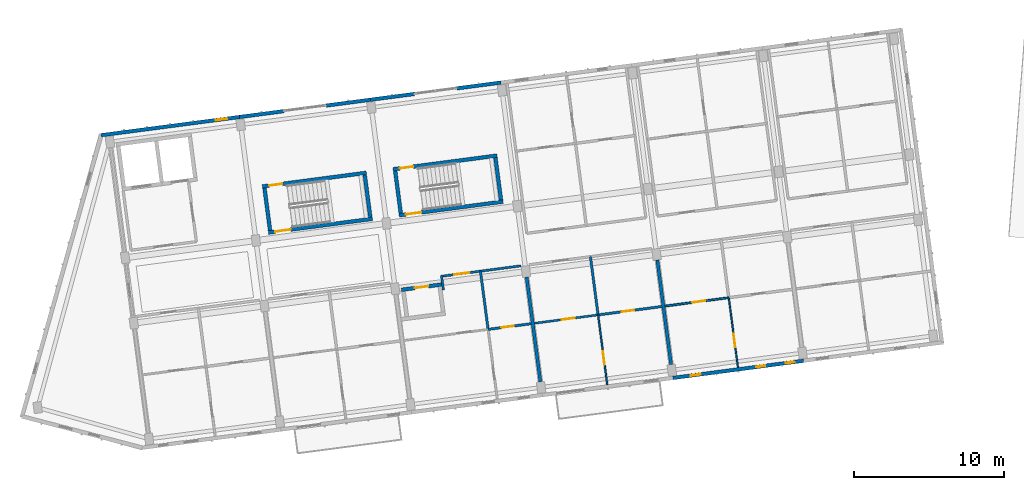
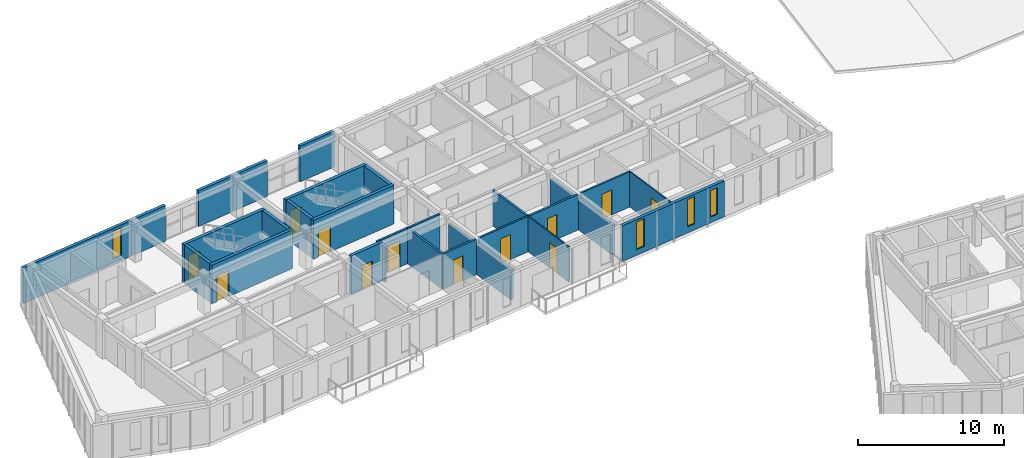
# One storey, part 26 of 74: 27 walls, 12 doors, 4 windows, 16 openings.
"""IFC4 building model written with IfcOpenShell, lengths in metres."""

from ifc_helpers import new_model, si_unit, direction, frame, frame_2d, origin, place, context, subcontext, project, spatial, rectangle, extrude, material, layer, layer_set, type_object, element, fill, save


model = new_model("IFC4")

# Units and contexts
model_context = context("Model", 3, precision=1e-05, world=origin(), true_north=direction((0.0, 1.0)))
body_context = subcontext(model_context, "Body", "Model", "MODEL_VIEW")
ifc_project = project(units=[si_unit("LENGTHUNIT", "METRE"), si_unit("AREAUNIT", "SQUARE_METRE"), si_unit("VOLUMEUNIT", "CUBIC_METRE"), si_unit("PLANEANGLEUNIT", "RADIAN"), si_unit("MASSUNIT", "GRAM", prefix="KILO")], contexts=[model_context])

# Site, building, storey
site_placement = place(None, origin())
site = spatial("IfcSite", under=ifc_project, at=site_placement, CompositionType="ELEMENT")
building_placement = place(site_placement, origin())
building = spatial("IfcBuilding", under=site, at=building_placement, Name="Kestramere Prow Commons", CompositionType="ELEMENT")
storey_placement = place(building_placement, frame((0.0, 0.0, 11.64990234375)))
storey = spatial("IfcBuildingStorey", under=building, at=storey_placement, Name="L03", CompositionType="ELEMENT", Elevation=11.64990234375)

# Wall, openings, windows
ifc_material_1 = material(Name="Fluoropolymer Standing-Seam Zinc-Aluminium Cladding", Category="aluminium")
ifc_layer_1 = layer(ifc_material_1, 0.239990234375)
ifc_layer_set_1 = layer_set([ifc_layer_1], Name="Fluoropolymer Standing-Seam Zinc-Aluminium Cladding")
wall_type_1 = type_object("IfcWallType", Name="EW-SEAM-240", PredefinedType="SOLIDWALL", material=ifc_layer_set_1)
wall_1_placement = place(storey_placement, frame((54.89208984375, 77.22265625, 0.0), z_axis=(0.0, 0.0, 1.0), x_axis=(-0.991443905089, -0.130533455715, 0.0)))
wall_1 = element("IfcWall", 1, at=wall_1_placement, inside=storey, type_object=wall_type_1, Name="Block A L03 South Standing-Seam Wall 5", PredefinedType="SOLIDWALL", context=body_context, shape_type="SweptSolid", body=[
    extrude(rectangle(XDim=8.7998046875, YDim=0.239990234375, at=frame_2d((4.39990234375, 0.0))), origin(), (0.0, 0.0, 1.0), 3.0),
])
opening_1_placement = place(wall_1_placement, frame((0.610107421875, 0.0, 0.47998046875)))
opening_1 = element("IfcOpeningElement", 2, at=opening_1_placement, cuts=wall_1, Name="Opening WN-02", PredefinedType="OPENING", context=body_context, shape_type="SweptSolid", body=[
    extrude(rectangle(XDim=0.60009765625, YDim=2.219970703125, at=frame_2d((0.300048828125, 1.10986328125))), frame((0.0, 0.135009765625, 0.0), z_axis=(0.0, -1.0, 0.0), x_axis=(1.0, 0.0, 0.0)), (0.0, 0.0, 1.0), 0.27001953125),
])
opening_2_placement = place(wall_1_placement, frame((2.575927734375, 0.0, 0.52001953125)))
opening_2 = element("IfcOpeningElement", 3, at=opening_2_placement, cuts=wall_1, Name="Opening WN-03", PredefinedType="OPENING", context=body_context, shape_type="SweptSolid", body=[
    extrude(rectangle(XDim=0.6201171875, YDim=2.280029296875, at=frame_2d((0.31005859375, 1.14013671875))), frame((0.0, 0.135009765625, 0.0), z_axis=(0.0, -1.0, 0.0), x_axis=(1.0, 0.0, 0.0)), (0.0, 0.0, 1.0), 0.27001953125),
])
opening_3_placement = place(wall_1_placement, frame((6.935302734375, 0.0, 0.47998046875)))
opening_3 = element("IfcOpeningElement", 4, at=opening_3_placement, cuts=wall_1, Name="Opening WN-05", PredefinedType="OPENING", context=body_context, shape_type="SweptSolid", body=[
    extrude(rectangle(XDim=0.659912109375, YDim=2.320068359375, at=frame_2d((0.330078125, 1.16015625))), frame((0.0, 0.135009765625, 0.0), z_axis=(0.0, -1.0, 0.0), x_axis=(1.0, 0.0, 0.0)), (0.0, 0.0, 1.0), 0.27001953125),
])
ifc_material_2 = material(Name="Low-E Laminated Double Glazing", Category="glass")
window_type_1 = type_object("IfcWindowType", Name="WN-NAR-600A", PartitioningType="SINGLE_PANEL", PredefinedType="WINDOW", material=ifc_material_2)
window_1_placement = place(opening_1_placement, origin())
window_1 = element("IfcWindow", 5, at=window_1_placement, inside=storey, type_object=window_type_1, Name="WN-A-L03-S-4-00", OverallHeight=2.219970703125, OverallWidth=0.60009765625, PartitioningType="SINGLE_PANEL", PredefinedType="WINDOW", context=body_context, shape_type="SweptSolid", body=[
    extrude(rectangle(XDim=0.60009765625, YDim=2.219970703125, at=frame_2d((0.300048828125, 1.10986328125))), frame((0.0, 0.030029296875, 0.0), z_axis=(0.0, -1.0, 0.0), x_axis=(1.0, 0.0, 0.0)), (0.0, 0.0, 1.0), 0.06005859375),
])
fill(opening_1, window_1)
window_type_2 = type_object("IfcWindowType", Name="WN-NAR-620A", PartitioningType="SINGLE_PANEL", PredefinedType="WINDOW", material=ifc_material_2)
window_2_placement = place(opening_2_placement, origin())
window_2 = element("IfcWindow", 6, at=window_2_placement, inside=storey, type_object=window_type_2, Name="WN-A-L03-S-4-01", OverallHeight=2.280029296875, OverallWidth=0.6201171875, PartitioningType="SINGLE_PANEL", PredefinedType="WINDOW", context=body_context, shape_type="SweptSolid", body=[
    extrude(rectangle(XDim=0.6201171875, YDim=2.280029296875, at=frame_2d((0.31005859375, 1.14013671875))), frame((0.0, 0.030029296875, 0.0), z_axis=(0.0, -1.0, 0.0), x_axis=(1.0, 0.0, 0.0)), (0.0, 0.0, 1.0), 0.06005859375),
])
fill(opening_2, window_2)
window_type_3 = type_object("IfcWindowType", Name="WN-NAR-660A", PartitioningType="SINGLE_PANEL", PredefinedType="WINDOW", material=ifc_material_2)
window_3_placement = place(opening_3_placement, origin())
window_3 = element("IfcWindow", 7, at=window_3_placement, inside=storey, type_object=window_type_3, Name="WN-A-L03-S-4-10", OverallHeight=2.320068359375, OverallWidth=0.659912109375, PartitioningType="SINGLE_PANEL", PredefinedType="WINDOW", context=body_context, shape_type="SweptSolid", body=[
    extrude(rectangle(XDim=0.659912109375, YDim=2.320068359375, at=frame_2d((0.330078125, 1.16015625))), frame((0.0, 0.030029296875, 0.0), z_axis=(0.0, -1.0, 0.0), x_axis=(1.0, 0.0, 0.0)), (0.0, 0.0, 1.0), 0.06005859375),
])
fill(opening_3, window_3)

# Wall, opening, window
wall_2_placement = place(storey_placement, frame((8.00048828125, 92.28076171875, 0.0), z_axis=(0.0, 0.0, 1.0), x_axis=(0.991442885224, 0.130541201693, 0.0)))
wall_2 = element("IfcWall", 8, at=wall_2_placement, inside=storey, type_object=wall_type_1, Name="Block A L03 North Standing-Seam Wall 1", PredefinedType="SOLIDWALL", context=body_context, shape_type="SweptSolid", body=[
    extrude(rectangle(XDim=9.324951171875, YDim=0.239990234375, at=frame_2d((4.66259765625, 0.0))), origin(), (0.0, 0.0, 1.0), 3.0),
])
opening_4_placement = place(wall_2_placement, frame((7.72509765625, 0.0, 0.449951171875)))
opening_4 = element("IfcOpeningElement", 9, at=opening_4_placement, cuts=wall_2, Name="Opening WN-19", PredefinedType="OPENING", context=body_context, shape_type="SweptSolid", body=[
    extrude(rectangle(XDim=0.75, YDim=2.320068359375, at=frame_2d((0.375, 1.16015625))), frame((0.0, 0.135009765625, 0.0), z_axis=(0.0, -1.0, 0.0), x_axis=(1.0, 0.0, 0.0)), (0.0, 0.0, 1.0), 0.27001953125),
])
window_type_4 = type_object("IfcWindowType", Name="WN-CLER-1800", PartitioningType="SINGLE_PANEL", PredefinedType="WINDOW", material=ifc_material_2)
window_4_placement = place(opening_4_placement, origin())
window_4 = element("IfcWindow", 10, at=window_4_placement, inside=storey, type_object=window_type_4, Name="Block A L03 Core Lobby Slot Window", OverallHeight=2.320068359375, OverallWidth=0.75, PartitioningType="SINGLE_PANEL", PredefinedType="WINDOW", context=body_context, shape_type="SweptSolid", body=[
    extrude(rectangle(XDim=0.75, YDim=2.320068359375, at=frame_2d((0.375, 1.16015625))), frame((0.0, 0.030029296875, 0.0), z_axis=(0.0, -1.0, 0.0), x_axis=(1.0, 0.0, 0.0)), (0.0, 0.0, 1.0), 0.06005859375),
])
fill(opening_4, window_4)

# Walls
for number, where, z_axis, x_axis, name in (
    (11, (17.24560546875, 93.498046875, 0.0), (0.0, 0.0, 1.0), (0.991451502252, 0.130475739826, 0.0), "Block A L03 North Standing-Seam Pier 2L"),
    (12, (23.020751953125, 94.25830078125, 0.0), (0.0, 0.0, 1.0), (0.991440883744, 0.130556401758, 0.0), "Block A L03 North Standing-Seam Pier 2R"),
):
    element("IfcWall", number, at=place(storey_placement, frame(where, z_axis=z_axis, x_axis=x_axis)), inside=storey, type_object=wall_type_1, Name=name, PredefinedType="SOLIDWALL", context=body_context, shape_type="SweptSolid", body=[
        extrude(rectangle(XDim=2.97509765625, YDim=0.239990234375, at=frame_2d((1.487548828125, 0.0))), origin(), (0.0, 0.0, 1.0), 3.0),
    ])
for number, where, z_axis, x_axis, name in (
    (13, (25.970458984375, 94.646728515625, 0.0), (0.0, 0.0, 1.0), (0.991450105095, 0.130486356022, 0.0), "Block A L03 North Standing-Seam Pier 3L"),
    (14, (31.74560546875, 95.406982421875, 0.0), (0.0, 0.0, 1.0), (0.991439484875, 0.130567024289, 0.0), "Block A L03 North Standing-Seam Pier 3R"),
):
    element("IfcWall", number, at=place(storey_placement, frame(where, z_axis=z_axis, x_axis=x_axis)), inside=storey, type_object=wall_type_1, Name=name, PredefinedType="SOLIDWALL", context=body_context, shape_type="SweptSolid", body=[
        extrude(rectangle(XDim=2.974853515625, YDim=0.239990234375, at=frame_2d((1.4873046875, 0.0))), origin(), (0.0, 0.0, 1.0), 3.0),
    ])

# Wall, opening, door
ifc_material_3 = material(Name="Concrete C40/50", Category="concrete")
ifc_layer_2 = layer(ifc_material_3, 0.25)
ifc_layer_set_2 = layer_set([ifc_layer_2], Name="Concrete C40/50")
wall_type_2 = type_object("IfcWallType", Name="W-CORE-250", PredefinedType="SHEAR", material=ifc_layer_set_2)
wall_3_placement = place(storey_placement, frame((18.764404296875, 88.856689453125, 0.0), z_axis=(0.0, 0.0, 1.0), x_axis=(0.991447052715, 0.13050954625, 0.0)))
wall_3 = element("IfcWall", 15, at=wall_3_placement, inside=storey, type_object=wall_type_2, Name="ST-A1 L03 North Shaft Wall", PredefinedType="SHEAR", context=body_context, shape_type="SweptSolid", body=[
    extrude(rectangle(XDim=7.0, YDim=0.25, at=frame_2d((3.5, 0.0))), origin(), (0.0, 0.0, 1.0), 3.25),
])
opening_5_placement = place(wall_3_placement, frame((0.449951171875, 0.0, 0.0)))
opening_5 = element("IfcOpeningElement", 16, at=opening_5_placement, cuts=wall_3, Name="Opening ID-08", PredefinedType="OPENING", context=body_context, shape_type="SweptSolid", body=[
    extrude(rectangle(XDim=0.89990234375, YDim=2.10009765625, at=frame_2d((0.449951171875, 1.050048828125))), frame((0.0, 0.139892578125, 0.0), z_axis=(0.0, -1.0, 0.0), x_axis=(1.0, 0.0, 0.0)), (0.0, 0.0, 1.0), 0.280029296875),
])
ifc_material_4 = material(Name="Engineered Timber Flush Door", Category="wood")
door_type_1 = type_object("IfcDoorType", Name="D-RM-01", OperationType="NOTDEFINED", PredefinedType="DOOR", material=ifc_material_4)
door_1_placement = place(opening_5_placement, origin())
door_1 = element("IfcDoor", 17, at=door_1_placement, inside=storey, type_object=door_type_1, Name="ST-A1 L03 North Room Door", OperationType="SINGLE_SWING_RIGHT", OverallHeight=2.10009765625, OverallWidth=0.89990234375, PredefinedType="DOOR", context=body_context, shape_type="SweptSolid", body=[
    extrude(rectangle(XDim=0.89990234375, YDim=2.10009765625, at=frame_2d((0.449951171875, 1.050048828125))), frame((0.0, 0.02490234375, 0.0), z_axis=(0.0, -1.0, 0.0), x_axis=(1.0, 0.0, 0.0)), (0.0, 0.0, 1.0), 0.050048828125),
])
fill(opening_5, door_1)

wall_4_placement = place(storey_placement, frame((19.169189453125, 85.783203125, 0.0), z_axis=(0.0, 0.0, 1.0), x_axis=(0.991446458634, 0.130514059249, 0.0)))
wall_4 = element("IfcWall", 18, at=wall_4_placement, inside=storey, type_object=wall_type_2, Name="ST-A1 L03 Corridor Shaft Wall", PredefinedType="SHEAR", context=body_context, shape_type="SweptSolid", body=[
    extrude(rectangle(XDim=6.999755859375, YDim=0.25, at=frame_2d((3.5, 0.0))), origin(), (0.0, 0.0, 1.0), 3.25),
])
opening_6_placement = place(wall_4_placement, frame((0.449951171875, 0.0, 0.0)))
opening_6 = element("IfcOpeningElement", 19, at=opening_6_placement, cuts=wall_4, Name="Opening ID-01", PredefinedType="OPENING", context=body_context, shape_type="SweptSolid", body=[
    extrude(rectangle(XDim=1.050048828125, YDim=2.14990234375, at=frame_2d((0.52490234375, 1.074951171875))), frame((0.0, 0.139892578125, 0.0), z_axis=(0.0, -1.0, 0.0), x_axis=(1.0, 0.0, 0.0)), (0.0, 0.0, 1.0), 0.280029296875),
])
ifc_material_5 = material(Name="Fire-Rated Timber and Steel Frame", Category="steel")
door_type_2 = type_object("IfcDoorType", Name="FD-ST-01", OperationType="NOTDEFINED", PredefinedType="DOOR", material=ifc_material_5)
door_2_placement = place(opening_6_placement, origin())
door_2 = element("IfcDoor", 20, at=door_2_placement, inside=storey, type_object=door_type_2, Name="ST-A1 L03 Protected Stair Door", OperationType="SINGLE_SWING_RIGHT", OverallHeight=2.14990234375, OverallWidth=1.050048828125, PredefinedType="DOOR", context=body_context, shape_type="SweptSolid", body=[
    extrude(rectangle(XDim=1.050048828125, YDim=2.14990234375, at=frame_2d((0.52490234375, 1.074951171875))), frame((0.0, 0.02490234375, 0.0), z_axis=(0.0, -1.0, 0.0), x_axis=(1.0, 0.0, 0.0)), (0.0, 0.0, 1.0), 0.050048828125),
])
fill(opening_6, door_2)

# Walls
for number, where, z_axis, x_axis, name in (
    (21, (19.27685546875, 85.92333984375, 0.0), (0.0, 0.0, 1.0), (-0.130547578832, 0.991442045538, 0.0), "ST-A1 L03 Near Shaft Wall"),
    (22, (25.968994140625, 86.804443359375, 0.0), (0.0, 0.0, 1.0), (-0.130547578832, 0.991442045538, 0.0), "ST-A1 L03 Far Shaft Wall"),
):
    element("IfcWall", number, at=place(storey_placement, frame(where, z_axis=z_axis, x_axis=x_axis)), inside=storey, type_object=wall_type_2, Name=name, PredefinedType="SHEAR", context=body_context, shape_type="SweptSolid", body=[
        extrude(rectangle(XDim=2.85009765625, YDim=0.25, at=frame_2d((1.425048828125, 0.0))), origin(), (0.0, 0.0, 1.0), 3.25),
    ])

# Wall, opening, door
wall_5_placement = place(storey_placement, frame((27.4892578125, 90.005126953125, 0.0), z_axis=(0.0, 0.0, 1.0), x_axis=(0.991441944909, 0.130548343059, 0.0)))
wall_5 = element("IfcWall", 23, at=wall_5_placement, inside=storey, type_object=wall_type_2, Name="ST-A2 L03 North Shaft Wall", PredefinedType="SHEAR", context=body_context, shape_type="SweptSolid", body=[
    extrude(rectangle(XDim=6.999755859375, YDim=0.25, at=frame_2d((3.5, 0.0))), origin(), (0.0, 0.0, 1.0), 3.25),
])
opening_7_placement = place(wall_5_placement, frame((0.449951171875, 0.0, 0.0)))
opening_7 = element("IfcOpeningElement", 24, at=opening_7_placement, cuts=wall_5, Name="Opening ID-08", PredefinedType="OPENING", context=body_context, shape_type="SweptSolid", body=[
    extrude(rectangle(XDim=0.89990234375, YDim=2.10009765625, at=frame_2d((0.449951171875, 1.050048828125))), frame((0.0, 0.139892578125, 0.0), z_axis=(0.0, -1.0, 0.0), x_axis=(1.0, 0.0, 0.0)), (0.0, 0.0, 1.0), 0.280029296875),
])
door_3_placement = place(opening_7_placement, origin())
door_3 = element("IfcDoor", 25, at=door_3_placement, inside=storey, type_object=door_type_1, Name="ST-A2 L03 North Room Door", OperationType="SINGLE_SWING_RIGHT", OverallHeight=2.10009765625, OverallWidth=0.89990234375, PredefinedType="DOOR", context=body_context, shape_type="SweptSolid", body=[
    extrude(rectangle(XDim=0.89990234375, YDim=2.10009765625, at=frame_2d((0.449951171875, 1.050048828125))), frame((0.0, 0.02490234375, 0.0), z_axis=(0.0, -1.0, 0.0), x_axis=(1.0, 0.0, 0.0)), (0.0, 0.0, 1.0), 0.050048828125),
])
fill(opening_7, door_3)

wall_6_placement = place(storey_placement, frame((27.893798828125, 86.931640625, 0.0), z_axis=(0.0, 0.0, 1.0), x_axis=(0.991442539299, 0.130543828916, 0.0)))
wall_6 = element("IfcWall", 26, at=wall_6_placement, inside=storey, type_object=wall_type_2, Name="ST-A2 L03 Corridor Shaft Wall", PredefinedType="SHEAR", context=body_context, shape_type="SweptSolid", body=[
    extrude(rectangle(XDim=7.0, YDim=0.25, at=frame_2d((3.5, 0.0))), origin(), (0.0, 0.0, 1.0), 3.25),
])
opening_8_placement = place(wall_6_placement, frame((0.449951171875, 0.0, 0.0)))
opening_8 = element("IfcOpeningElement", 27, at=opening_8_placement, cuts=wall_6, Name="Opening ID-01", PredefinedType="OPENING", context=body_context, shape_type="SweptSolid", body=[
    extrude(rectangle(XDim=1.050048828125, YDim=2.14990234375, at=frame_2d((0.52490234375, 1.074951171875))), frame((0.0, 0.139892578125, 0.0), z_axis=(0.0, -1.0, 0.0), x_axis=(1.0, 0.0, 0.0)), (0.0, 0.0, 1.0), 0.280029296875),
])
door_4_placement = place(opening_8_placement, origin())
door_4 = element("IfcDoor", 28, at=door_4_placement, inside=storey, type_object=door_type_2, Name="ST-A2 L03 Protected Stair Door", OperationType="SINGLE_SWING_RIGHT", OverallHeight=2.14990234375, OverallWidth=1.050048828125, PredefinedType="DOOR", context=body_context, shape_type="SweptSolid", body=[
    extrude(rectangle(XDim=1.050048828125, YDim=2.14990234375, at=frame_2d((0.52490234375, 1.074951171875))), frame((0.0, 0.02490234375, 0.0), z_axis=(0.0, -1.0, 0.0), x_axis=(1.0, 0.0, 0.0)), (0.0, 0.0, 1.0), 0.050048828125),
])
fill(opening_8, door_4)

# Walls
wall_7_placement = place(storey_placement, frame((28.00146484375, 87.072021484375, 0.0), z_axis=(0.0, 0.0, 1.0), x_axis=(-0.130547578832, 0.991442045538, 0.0)))
element("IfcWall", 29, at=wall_7_placement, inside=storey, type_object=wall_type_2, Name="ST-A2 L03 Near Shaft Wall", PredefinedType="SHEAR", context=body_context, shape_type="SweptSolid", body=[
    extrude(rectangle(XDim=2.85009765625, YDim=0.25, at=frame_2d((1.425048828125, 0.0))), origin(), (0.0, 0.0, 1.0), 3.25),
])
wall_8_placement = place(storey_placement, frame((34.693603515625, 87.953125, 0.0), z_axis=(0.0, 0.0, 1.0), x_axis=(-0.130474457355, 0.991451671025, 0.0)))
element("IfcWall", 30, at=wall_8_placement, inside=storey, type_object=wall_type_2, Name="ST-A2 L03 Far Shaft Wall", PredefinedType="SHEAR", context=body_context, shape_type="SweptSolid", body=[
    extrude(rectangle(XDim=2.849853515625, YDim=0.25, at=frame_2d((1.4248046875, 0.0))), origin(), (0.0, 0.0, 1.0), 3.25),
])
ifc_material_6 = material(Name="Fire-Rated Calcium Silicate Wall")
ifc_layer_3 = layer(ifc_material_6, 0.155029296875)
ifc_layer_set_3 = layer_set([ifc_layer_3], Name="Fire-Rated Calcium Silicate Wall")
wall_type_3 = type_object("IfcWallType", Name="W-FIRE-150", PredefinedType="PARTITIONING", material=ifc_layer_set_3)
wall_9_placement = place(storey_placement, frame((30.849365234375, 81.949951171875, 0.0), z_axis=(0.0, 0.0, 1.0), x_axis=(-0.13055608231, 0.99144092581, 0.0)))
element("IfcWall", 31, at=wall_9_placement, inside=storey, type_object=wall_type_3, Name="Interior Partition PW-A-L03-HS-CLOSER", PredefinedType="PARTITIONING", context=body_context, shape_type="SweptSolid", body=[
    extrude(rectangle(XDim=0.994873046875, YDim=0.155029296875, at=frame_2d((0.49755859375, 0.0))), origin(), (0.0, 0.0, 1.0), 2.97021484375),
])

# Wall, opening, door
wall_10_placement = place(storey_placement, frame((30.80859375, 82.87255859375, 0.0), z_axis=(0.0, 0.0, 1.0), x_axis=(0.991447652655, 0.130504988581, 0.0)))
wall_10 = element("IfcWall", 32, at=wall_10_placement, inside=storey, type_object=wall_type_3, Name="Interior Partition PW-A-L03-CS-2", PredefinedType="PARTITIONING", context=body_context, shape_type="SweptSolid", body=[
    extrude(rectangle(XDim=5.2548828125, YDim=0.155029296875, at=frame_2d((2.62744140625, 0.0))), origin(), (0.0, 0.0, 1.0), 2.97021484375),
])
opening_9_placement = place(wall_10_placement, frame((0.758056640625, 0.0, 0.0)))
opening_9 = element("IfcOpeningElement", 33, at=opening_9_placement, cuts=wall_10, Name="Opening ID-05", PredefinedType="OPENING", context=body_context, shape_type="SweptSolid", body=[
    extrude(rectangle(XDim=1.02001953125, YDim=2.199951171875, at=frame_2d((0.510009765625, 1.10009765625))), frame((0.0, 0.092529296875, 0.0), z_axis=(0.0, -1.0, 0.0), x_axis=(1.0, 0.0, 0.0)), (0.0, 0.0, 1.0), 0.18505859375),
])
ifc_material_7 = material(Name="Hardwood Fire-Rated Flat Entrance Door", Category="wood")
door_type_3 = type_object("IfcDoorType", Name="FD-ENT-02", OperationType="NOTDEFINED", PredefinedType="DOOR", material=ifc_material_7)
door_5_placement = place(opening_9_placement, origin())
door_5 = element("IfcDoor", 34, at=door_5_placement, inside=storey, type_object=door_type_3, Name="Interior Door DR-A-L03-ENT-S2", OperationType="SINGLE_SWING_RIGHT", OverallHeight=2.199951171875, OverallWidth=1.02001953125, PredefinedType="DOOR", context=body_context, shape_type="SweptSolid", body=[
    extrude(rectangle(XDim=1.02001953125, YDim=2.199951171875, at=frame_2d((0.510009765625, 1.10009765625))), frame((0.0, 0.02490234375, 0.0), z_axis=(0.0, -1.0, 0.0), x_axis=(1.0, 0.0, 0.0)), (0.0, 0.0, 1.0), 0.050048828125),
])
fill(opening_9, door_5)

ifc_layer_4 = layer(ifc_material_3, 0.25)
ifc_layer_set_4 = layer_set([ifc_layer_4], Name="Concrete C40/50")
wall_type_4 = type_object("IfcWallType", Name="W-HS-250", PredefinedType="SHEAR", material=ifc_layer_set_4)
wall_11_placement = place(storey_placement, frame((28.044189453125, 81.958740234375, 0.0), z_axis=(0.0, 0.0, 1.0), x_axis=(0.991439824936, 0.130564442062, 0.0)))
wall_11 = element("IfcWall", 35, at=wall_11_placement, inside=storey, type_object=wall_type_4, Name="Block A L03 Household Shelter North Wall", PredefinedType="SHEAR", context=body_context, shape_type="SweptSolid", body=[
    extrude(rectangle(XDim=2.7001953125, YDim=0.25, at=frame_2d((1.35009765625, 0.0))), origin(), (0.0, 0.0, 1.0), 3.25),
])
opening_10_placement = place(wall_11_placement, frame((0.89990234375, 0.0, 0.0)))
opening_10 = element("IfcOpeningElement", 36, at=opening_10_placement, cuts=wall_11, Name="Opening ID-06", PredefinedType="OPENING", context=body_context, shape_type="SweptSolid", body=[
    extrude(rectangle(XDim=0.89990234375, YDim=2.050048828125, at=frame_2d((0.449951171875, 1.02490234375))), frame((0.0, 0.139892578125, 0.0), z_axis=(0.0, -1.0, 0.0), x_axis=(1.0, 0.0, 0.0)), (0.0, 0.0, 1.0), 0.280029296875),
])
ifc_material_8 = material(Name="Galvanised Steel S275JR Household Shelter Door", Category="steel")
door_type_4 = type_object("IfcDoorType", Name="FD-HS-01", OperationType="NOTDEFINED", PredefinedType="DOOR", material=ifc_material_8)
door_6_placement = place(opening_10_placement, origin())
door_6 = element("IfcDoor", 37, at=door_6_placement, inside=storey, type_object=door_type_4, Name="Block A L03 Household Shelter Blast Door", OperationType="SINGLE_SWING_LEFT", OverallHeight=2.050048828125, OverallWidth=0.89990234375, PredefinedType="DOOR", context=body_context, shape_type="SweptSolid", body=[
    extrude(rectangle(XDim=0.89990234375, YDim=2.050048828125, at=frame_2d((0.449951171875, 1.02490234375))), frame((0.0, 0.02490234375, 0.0), z_axis=(0.0, -1.0, 0.0), x_axis=(1.0, 0.0, 0.0)), (0.0, 0.0, 1.0), 0.050048828125),
])
fill(opening_10, door_6)

ifc_material_9 = material(Name="Gypsum Acoustic Drywall")
ifc_layer_5 = layer(ifc_material_9, 0.10009765625)
ifc_layer_set_5 = layer_set([ifc_layer_5], Name="Gypsum Acoustic Drywall")
wall_type_5 = type_object("IfcWallType", Name="W-PART-100", PredefinedType="PARTITIONING", material=ifc_layer_set_5)
wall_12_placement = place(storey_placement, frame((41.787353515625, 75.633544921875, 0.0), z_axis=(0.0, 0.0, 1.0), x_axis=(-0.130502988823, 0.991447915883, 0.0)))
wall_12 = element("IfcWall", 38, at=wall_12_placement, inside=storey, type_object=wall_type_5, Name="Interior Partition PW-A-L03-LB-S3", PredefinedType="PARTITIONING", context=body_context, shape_type="SweptSolid", body=[
    extrude(rectangle(XDim=4.68994140625, YDim=0.10009765625, at=frame_2d((2.344970703125, 0.0))), origin(), (0.0, 0.0, 1.0), 2.97021484375),
])
opening_11_placement = place(wall_12_placement, frame((1.35009765625, 0.0, 0.0)))
opening_11 = element("IfcOpeningElement", 39, at=opening_11_placement, cuts=wall_12, Name="Opening ID-10", PredefinedType="OPENING", context=body_context, shape_type="SweptSolid", body=[
    extrude(rectangle(XDim=0.8798828125, YDim=2.10009765625, at=frame_2d((0.43994140625, 1.050048828125))), frame((0.0, 0.06494140625, 0.0), z_axis=(0.0, -1.0, 0.0), x_axis=(1.0, 0.0, 0.0)), (0.0, 0.0, 1.0), 0.130126953125),
])
ifc_material_10 = material(Name="Engineered Timber Bedroom Door", Category="wood")
door_type_5 = type_object("IfcDoorType", Name="D-RM-03", OperationType="NOTDEFINED", PredefinedType="DOOR", material=ifc_material_10)
door_7_placement = place(opening_11_placement, origin())
door_7 = element("IfcDoor", 40, at=door_7_placement, inside=storey, type_object=door_type_5, Name="Interior Door DR-A-L03-BED-S3", OperationType="SINGLE_SWING_RIGHT", OverallHeight=2.10009765625, OverallWidth=0.8798828125, PredefinedType="DOOR", context=body_context, shape_type="SweptSolid", body=[
    extrude(rectangle(XDim=0.8798828125, YDim=2.10009765625, at=frame_2d((0.43994140625, 1.050048828125))), frame((0.0, 0.02490234375, 0.0), z_axis=(0.0, -1.0, 0.0), x_axis=(1.0, 0.0, 0.0)), (0.0, 0.0, 1.0), 0.050048828125),
])
fill(opening_11, door_7)

ifc_material_11 = material(Name="Lightweight Blockwork and Plaster", Category="masonry")
ifc_layer_6 = layer(ifc_material_11, 0.1298828125)
ifc_layer_set_6 = layer_set([ifc_layer_6], Name="Lightweight Blockwork and Plaster")
wall_type_6 = type_object("IfcWallType", Name="W-PART-130", PredefinedType="PARTITIONING", material=ifc_layer_set_6)
wall_13_placement = place(storey_placement, frame((45.651611328125, 80.872802734375, 0.0), z_axis=(0.0, 0.0, 1.0), x_axis=(0.991444014242, 0.130532626667, 0.0)))
wall_13 = element("IfcWall", 41, at=wall_13_placement, inside=storey, type_object=wall_type_6, Name="Interior Partition PW-A-L03-MIDS1-4", PredefinedType="PARTITIONING", context=body_context, shape_type="SweptSolid", body=[
    extrude(rectangle(XDim=4.284912109375, YDim=0.1298828125, at=frame_2d((2.142578125, 0.0))), origin(), (0.0, 0.0, 1.0), 2.97021484375),
])
opening_12_placement = place(wall_13_placement, frame((1.824951171875, 0.0, 0.0)))
opening_12 = element("IfcOpeningElement", 42, at=opening_12_placement, cuts=wall_13, Name="Opening ID-10", PredefinedType="OPENING", context=body_context, shape_type="SweptSolid", body=[
    extrude(rectangle(XDim=0.8798828125, YDim=2.10009765625, at=frame_2d((0.43994140625, 1.050048828125))), frame((0.0, 0.079833984375, 0.0), z_axis=(0.0, -1.0, 0.0), x_axis=(1.0, 0.0, 0.0)), (0.0, 0.0, 1.0), 0.159912109375),
])
door_8_placement = place(opening_12_placement, origin())
door_8 = element("IfcDoor", 43, at=door_8_placement, inside=storey, type_object=door_type_5, Name="Interior Door DR-A-L03-KL-S4", OperationType="SINGLE_SWING_RIGHT", OverallHeight=2.10009765625, OverallWidth=0.8798828125, PredefinedType="DOOR", context=body_context, shape_type="SweptSolid", body=[
    extrude(rectangle(XDim=0.8798828125, YDim=2.10009765625, at=frame_2d((0.43994140625, 1.050048828125))), frame((0.0, 0.02490234375, 0.0), z_axis=(0.0, -1.0, 0.0), x_axis=(1.0, 0.0, 0.0)), (0.0, 0.0, 1.0), 0.050048828125),
])
fill(opening_12, door_8)

ifc_material_12 = material(Name="Masonry Compartment Wall", Category="masonry")
ifc_layer_7 = layer(ifc_material_12, 0.139892578125)
ifc_layer_set_7 = layer_set([ifc_layer_7], Name="Masonry Compartment Wall")
wall_type_7 = type_object("IfcWallType", Name="W-PART-140", PredefinedType="PARTITIONING", material=ifc_layer_set_7)
wall_14_placement = place(storey_placement, frame((36.927001953125, 79.72412109375, 0.0), z_axis=(0.0, 0.0, 1.0), x_axis=(0.991444014242, 0.130532626667, 0.0)))
wall_14 = element("IfcWall", 44, at=wall_14_placement, inside=storey, type_object=wall_type_7, Name="Interior Partition PW-A-L03-MIDS1-3", PredefinedType="PARTITIONING", context=body_context, shape_type="SweptSolid", body=[
    extrude(rectangle(XDim=4.284912109375, YDim=0.139892578125, at=frame_2d((2.142578125, 0.0))), origin(), (0.0, 0.0, 1.0), 2.97021484375),
])
opening_13_placement = place(wall_14_placement, frame((1.824951171875, 0.0, 0.0)))
opening_13 = element("IfcOpeningElement", 45, at=opening_13_placement, cuts=wall_14, Name="Opening ID-08", PredefinedType="OPENING", context=body_context, shape_type="SweptSolid", body=[
    extrude(rectangle(XDim=0.89990234375, YDim=2.10009765625, at=frame_2d((0.449951171875, 1.050048828125))), frame((0.0, 0.0849609375, 0.0), z_axis=(0.0, -1.0, 0.0), x_axis=(1.0, 0.0, 0.0)), (0.0, 0.0, 1.0), 0.169921875),
])
door_9_placement = place(opening_13_placement, origin())
door_9 = element("IfcDoor", 46, at=door_9_placement, inside=storey, type_object=door_type_1, Name="Interior Door DR-A-L03-KL-S3", OperationType="SINGLE_SWING_RIGHT", OverallHeight=2.10009765625, OverallWidth=0.89990234375, PredefinedType="DOOR", context=body_context, shape_type="SweptSolid", body=[
    extrude(rectangle(XDim=0.89990234375, YDim=2.10009765625, at=frame_2d((0.449951171875, 1.050048828125))), frame((0.0, 0.02490234375, 0.0), z_axis=(0.0, -1.0, 0.0), x_axis=(1.0, 0.0, 0.0)), (0.0, 0.0, 1.0), 0.050048828125),
])
fill(opening_13, door_9)

ifc_layer_8 = layer(ifc_material_9, 0.094970703125)
ifc_layer_set_8 = layer_set([ifc_layer_8], Name="Gypsum Acoustic Drywall")
wall_type_8 = type_object("IfcWallType", Name="W-PART-95", PredefinedType="PARTITIONING", material=ifc_layer_set_8)
wall_15_placement = place(storey_placement, frame((50.51220703125, 76.7822265625, 0.0), z_axis=(0.0, 0.0, 1.0), x_axis=(-0.130554157184, 0.991441179315, 0.0)))
wall_15 = element("IfcWall", 47, at=wall_15_placement, inside=storey, type_object=wall_type_8, Name="Interior Partition PW-A-L03-LB-S4", PredefinedType="PARTITIONING", context=body_context, shape_type="SweptSolid", body=[
    extrude(rectangle(XDim=4.68994140625, YDim=0.094970703125, at=frame_2d((2.344970703125, 0.0))), origin(), (0.0, 0.0, 1.0), 2.97021484375),
])
opening_14_placement = place(wall_15_placement, frame((1.35009765625, 0.0, 0.0)))
opening_14 = element("IfcOpeningElement", 48, at=opening_14_placement, cuts=wall_15, Name="Opening ID-08", PredefinedType="OPENING", context=body_context, shape_type="SweptSolid", body=[
    extrude(rectangle(XDim=0.89990234375, YDim=2.10009765625, at=frame_2d((0.449951171875, 1.050048828125))), frame((0.0, 0.0625, 0.0), z_axis=(0.0, -1.0, 0.0), x_axis=(1.0, 0.0, 0.0)), (0.0, 0.0, 1.0), 0.125),
])
door_10_placement = place(opening_14_placement, origin())
door_10 = element("IfcDoor", 49, at=door_10_placement, inside=storey, type_object=door_type_1, Name="Interior Door DR-A-L03-BED-S4", OperationType="SINGLE_SWING_LEFT", OverallHeight=2.10009765625, OverallWidth=0.89990234375, PredefinedType="DOOR", context=body_context, shape_type="SweptSolid", body=[
    extrude(rectangle(XDim=0.89990234375, YDim=2.10009765625, at=frame_2d((0.449951171875, 1.050048828125))), frame((0.0, 0.02490234375, 0.0), z_axis=(0.0, -1.0, 0.0), x_axis=(1.0, 0.0, 0.0)), (0.0, 0.0, 1.0), 0.050048828125),
])
fill(opening_14, door_10)

ifc_material_13 = material(Name="Waterproof Sanitary Masonry Wall", Category="masonry")
ifc_layer_9 = layer(ifc_material_13, 0.1650390625)
ifc_layer_set_9 = layer_set([ifc_layer_9], Name="Waterproof Sanitary Masonry Wall")
wall_type_9 = type_object("IfcWallType", Name="W-PLUMB-150", PredefinedType="PLUMBINGWALL", material=ifc_layer_set_9)
wall_16_placement = place(storey_placement, frame((33.83349609375, 79.31689453125, 0.0), z_axis=(0.0, 0.0, 1.0), x_axis=(0.99144710616, 0.130509140242, 0.0)))
wall_16 = element("IfcWall", 50, at=wall_16_placement, inside=storey, type_object=wall_type_9, Name="Interior Partition PW-A-L03-MIDS2-2", PredefinedType="PLUMBINGWALL", context=body_context, shape_type="SweptSolid", body=[
    extrude(rectangle(XDim=2.89013671875, YDim=0.1650390625, at=frame_2d((1.445068359375, 0.0))), origin(), (0.0, 0.0, 1.0), 2.97021484375),
])
opening_15_placement = place(wall_16_placement, frame((0.903076171875, 0.0, 0.0)))
opening_15 = element("IfcOpeningElement", 51, at=opening_15_placement, cuts=wall_16, Name="Opening ID-11", PredefinedType="OPENING", context=body_context, shape_type="SweptSolid", body=[
    extrude(rectangle(XDim=0.820068359375, YDim=2.080078125, at=frame_2d((0.41015625, 1.0400390625))), frame((0.0, 0.097412109375, 0.0), z_axis=(0.0, -1.0, 0.0), x_axis=(1.0, 0.0, 0.0)), (0.0, 0.0, 1.0), 0.195068359375),
])
ifc_material_14 = material(Name="Moisture-Resistant Timber Bathroom Door", Category="wood")
door_type_6 = type_object("IfcDoorType", Name="D-BT-01", OperationType="NOTDEFINED", PredefinedType="DOOR", material=ifc_material_14)
door_11_placement = place(opening_15_placement, origin())
door_11 = element("IfcDoor", 52, at=door_11_placement, inside=storey, type_object=door_type_6, Name="Interior Door DR-A-L03-BTH-S2", OperationType="SINGLE_SWING_LEFT", OverallHeight=2.080078125, OverallWidth=0.820068359375, PredefinedType="DOOR", context=body_context, shape_type="SweptSolid", body=[
    extrude(rectangle(XDim=0.820068359375, YDim=2.080078125, at=frame_2d((0.41015625, 1.0400390625))), frame((0.0, 0.02490234375, 0.0), z_axis=(0.0, -1.0, 0.0), x_axis=(1.0, 0.0, 0.0)), (0.0, 0.0, 1.0), 0.050048828125),
])
fill(opening_15, door_11)

# Wall
wall_17_placement = place(storey_placement, frame((33.83349609375, 79.31689453125, 0.0), z_axis=(0.0, 0.0, 1.0), x_axis=(-0.130478678745, 0.991451115483, 0.0)))
element("IfcWall", 53, at=wall_17_placement, inside=storey, type_object=wall_type_9, Name="Interior Partition PW-A-L03-KB-S2", PredefinedType="PLUMBINGWALL", context=body_context, shape_type="SweptSolid", body=[
    extrude(rectangle(XDim=3.919921875, YDim=0.1650390625, at=frame_2d((1.9599609375, 0.0))), origin(), (0.0, 0.0, 1.0), 2.97021484375),
])

# Wall, opening, door
wall_18_placement = place(storey_placement, frame((41.17529296875, 80.283447265625, 0.0), z_axis=(0.0, 0.0, 1.0), x_axis=(0.991444014242, 0.130532626667, 0.0)))
wall_18 = element("IfcWall", 54, at=wall_18_placement, inside=storey, type_object=wall_type_9, Name="Interior Partition PW-A-L03-MIDS2-3", PredefinedType="PLUMBINGWALL", context=body_context, shape_type="SweptSolid", body=[
    extrude(rectangle(XDim=4.284912109375, YDim=0.1650390625, at=frame_2d((2.142578125, 0.0))), origin(), (0.0, 0.0, 1.0), 2.97021484375),
])
opening_16_placement = place(wall_18_placement, frame((1.60009765625, 0.0, 0.0)))
opening_16 = element("IfcOpeningElement", 55, at=opening_16_placement, cuts=wall_18, Name="Opening ID-11", PredefinedType="OPENING", context=body_context, shape_type="SweptSolid", body=[
    extrude(rectangle(XDim=0.820068359375, YDim=2.080078125, at=frame_2d((0.41015625, 1.0400390625))), frame((0.0, 0.097412109375, 0.0), z_axis=(0.0, -1.0, 0.0), x_axis=(1.0, 0.0, 0.0)), (0.0, 0.0, 1.0), 0.195068359375),
])
door_12_placement = place(opening_16_placement, origin())
door_12 = element("IfcDoor", 56, at=door_12_placement, inside=storey, type_object=door_type_6, Name="Interior Door DR-A-L03-BTH-S3", OperationType="SINGLE_SWING_LEFT", OverallHeight=2.080078125, OverallWidth=0.820068359375, PredefinedType="DOOR", context=body_context, shape_type="SweptSolid", body=[
    extrude(rectangle(XDim=0.820068359375, YDim=2.080078125, at=frame_2d((0.41015625, 1.0400390625))), frame((0.0, 0.02490234375, 0.0), z_axis=(0.0, -1.0, 0.0), x_axis=(1.0, 0.0, 0.0)), (0.0, 0.0, 1.0), 0.050048828125),
])
fill(opening_16, door_12)

# Walls
wall_19_placement = place(storey_placement, frame((41.17529296875, 80.283447265625, 0.0), z_axis=(0.0, 0.0, 1.0), x_axis=(-0.130539898676, 0.991443056788, 0.0)))
element("IfcWall", 57, at=wall_19_placement, inside=storey, type_object=wall_type_9, Name="Interior Partition PW-A-L03-KB-S3", PredefinedType="PLUMBINGWALL", context=body_context, shape_type="SweptSolid", body=[
    extrude(rectangle(XDim=3.919921875, YDim=0.1650390625, at=frame_2d((1.9599609375, 0.0))), origin(), (0.0, 0.0, 1.0), 2.97021484375),
])
ifc_material_15 = material(Name="Precast concrete C40/50", Category="concrete")
ifc_layer_10 = layer(ifc_material_15, 0.219970703125)
ifc_layer_set_10 = layer_set([ifc_layer_10], Name="Precast concrete C40/50")
wall_type_10 = type_object("IfcWallType", Name="W-XWALL-220", PredefinedType="SHEAR", material=ifc_layer_set_10)
for number, where, z_axis, x_axis, name in (
    (58, (37.3251953125, 75.817626953125, 0.0), (0.0, 0.0, 1.0), (-0.130519009654, 0.99144580695, 0.0), "Block A L03 Precast Cross-Wall 3"),
    (59, (46.0498046875, 76.96630859375, 0.0), (0.0, 0.0, 1.0), (-0.130519009654, 0.99144580695, 0.0), "Block A L03 Precast Cross-Wall 4"),
):
    element("IfcWall", number, at=place(storey_placement, frame(where, z_axis=z_axis, x_axis=x_axis)), inside=storey, type_object=wall_type_10, Name=name, PredefinedType="SHEAR", context=body_context, shape_type="SweptSolid", body=[
        extrude(rectangle(XDim=7.050048828125, YDim=0.219970703125, at=frame_2d((3.52490234375, 0.0))), origin(), (0.0, 0.0, 1.0), 2.5),
    ])

save(model, "model.ifc")
